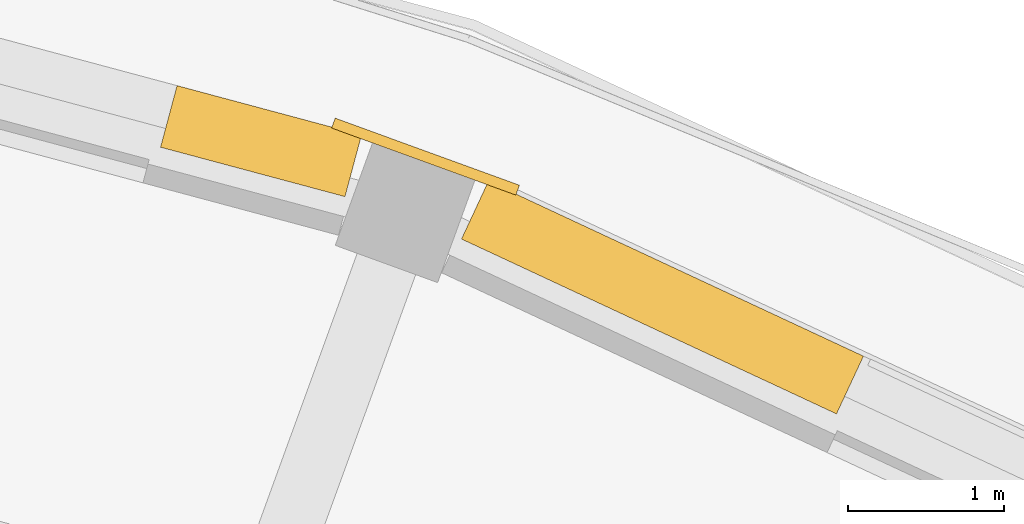
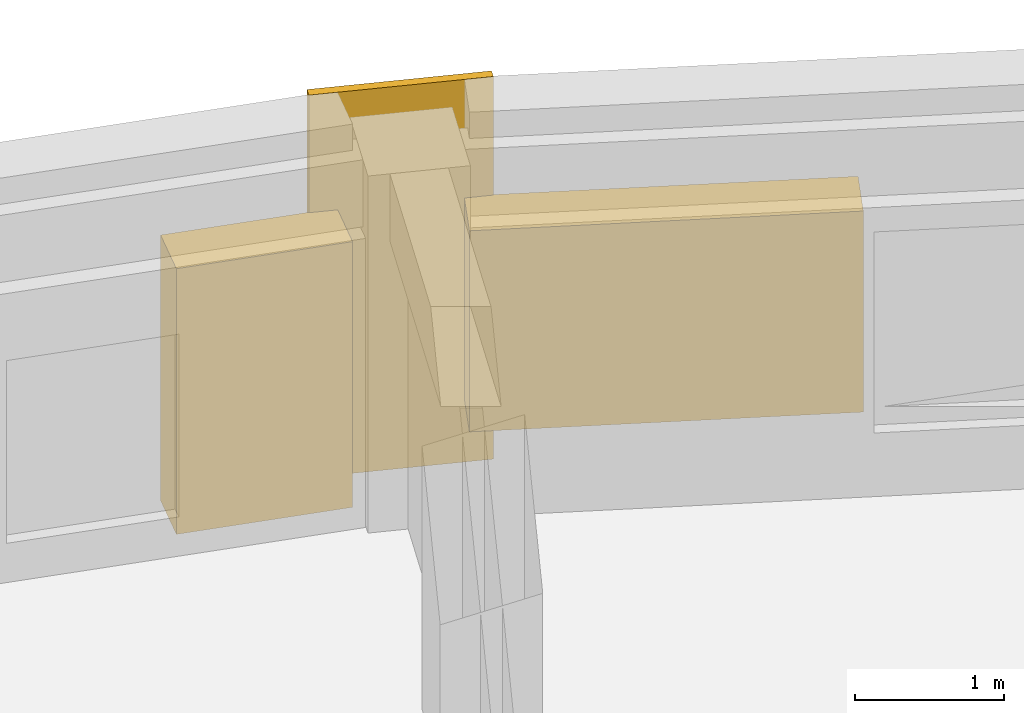
# One storey, part 57 of 57: 3 coverings.
"""IFC4 building model written with IfcOpenShell, lengths in metres."""

from ifc_helpers import new_model, si_unit, direction, frame, origin, place, context, subcontext, project, spatial, polyline, outline, extrude, material, layer, layer_set, type_object, element, save


model = new_model("IFC4")

# Units and contexts
model_context = context("Model", 3, precision=1e-05, world=origin(), true_north=direction((0.0, 1.0)))
body_context = subcontext(model_context, "Body", "Model", "MODEL_VIEW")
ifc_project = project(units=[si_unit("LENGTHUNIT", "METRE"), si_unit("AREAUNIT", "SQUARE_METRE"), si_unit("VOLUMEUNIT", "CUBIC_METRE"), si_unit("PLANEANGLEUNIT", "RADIAN"), si_unit("MASSUNIT", "GRAM", prefix="KILO")], contexts=[model_context])

# Site, building, storey
site_placement = place(None, origin())
site = spatial("IfcSite", under=ifc_project, at=site_placement, CompositionType="ELEMENT")
building_placement = place(site_placement, origin())
building = spatial("IfcBuilding", under=site, at=building_placement, Name="Kiranvali Square Residences", CompositionType="ELEMENT")
storey_placement = place(building_placement, frame((0.0, 0.0, 18.14990234375)))
storey = spatial("IfcBuildingStorey", under=building, at=storey_placement, Name="L05", CompositionType="ELEMENT", Elevation=18.14990234375)

# Coverings
ifc_material = material(Name="Honed Porbandar limestone ashlar facade cladding", Category="masonry")
ifc_layer_1 = layer(ifc_material, 0.3798828125)
ifc_layer_set_1 = layer_set([ifc_layer_1], Name="Honed Porbandar limestone ashlar facade cladding")
covering_type_1 = type_object("IfcCoveringType", Name="COV-CLAD-JAMB", PredefinedType="CLADDING", material=ifc_layer_set_1)
covering_1_placement = place(storey_placement, origin())
element("IfcCovering", 1, at=covering_1_placement, inside=storey, type_object=covering_type_1, Name="L05 deep limestone window jamb reveal B-L05-CRV-01.R", PredefinedType="CLADDING", context=body_context, shape_type="SweptSolid", body=[
    extrude(outline(polyline([(133.961669921875, 131.447265625), (135.146728515625, 131.1298828125), (135.252685546875, 131.525390625), (134.067626953125, 131.843017578125), (133.961669921875, 131.447265625)])), origin(), (0.0, 0.0, 1.0), 2.18017578125),
])
covering_2_placement = place(storey_placement, frame((0.0, 0.0, 0.522216796875)))
element("IfcCovering", 2, at=covering_2_placement, inside=storey, type_object=covering_type_1, Name="L05 deep limestone window jamb reveal B-L05-CRV-02.L", PredefinedType="CLADDING", context=body_context, shape_type="SweptSolid", body=[
    extrude(outline(polyline([(135.895751953125, 130.857177734375), (138.3056640625, 129.7333984375), (138.478759765625, 130.1044921875), (136.068603515625, 131.228515625), (135.895751953125, 130.857177734375)])), origin(), (0.0, 0.0, 1.0), 1.64990234375),
])
ifc_layer_2 = layer(ifc_material, 0.06494140625)
ifc_layer_set_2 = layer_set([ifc_layer_2], Name="Honed Porbandar limestone ashlar facade cladding")
covering_type_2 = type_object("IfcCoveringType", Name="COV-CLAD-PIER", PredefinedType="CLADDING", material=ifc_layer_set_2)
covering_3_placement = place(storey_placement, frame((0.0, 0.0, 0.005126953125)))
element("IfcCovering", 3, at=covering_3_placement, inside=storey, type_object=covering_type_2, Name="L05 Classical limestone corner pilaster CLAD-PR-B-L05-A02", PredefinedType="CLADDING", context=body_context, shape_type="SweptSolid", body=[
    extrude(outline(polyline([(136.267822265625, 131.203125), (135.083984375, 131.634033203125), (135.060791015625, 131.57080078125), (136.244873046875, 131.1396484375), (136.267822265625, 131.203125)])), origin(), (0.0, 0.0, 1.0), 3.139892578125),
])

save(model, "model.ifc")
